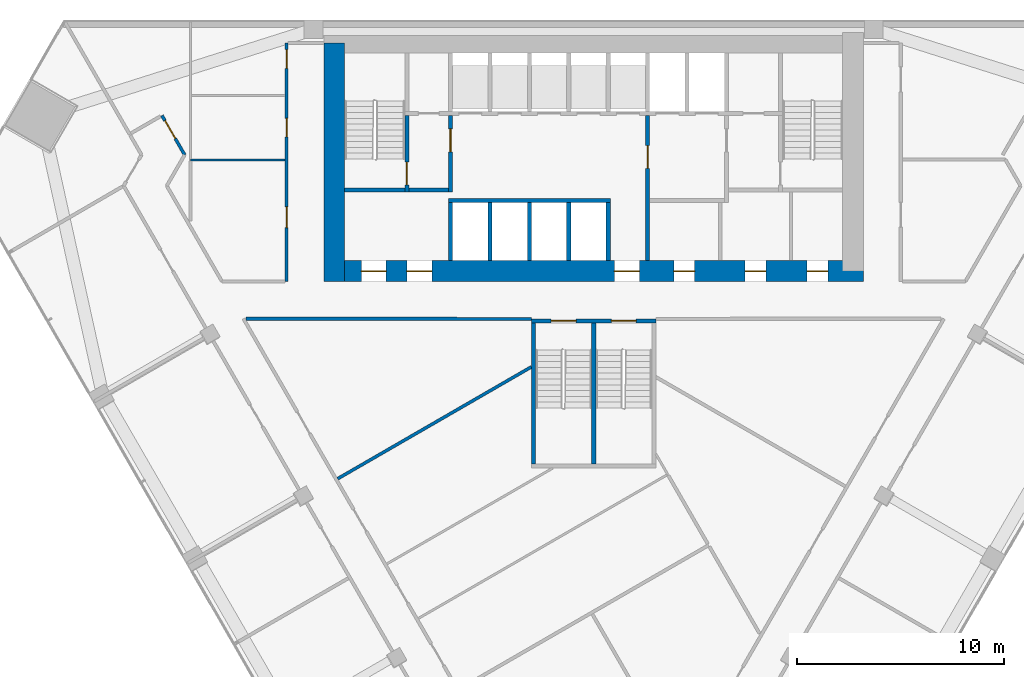
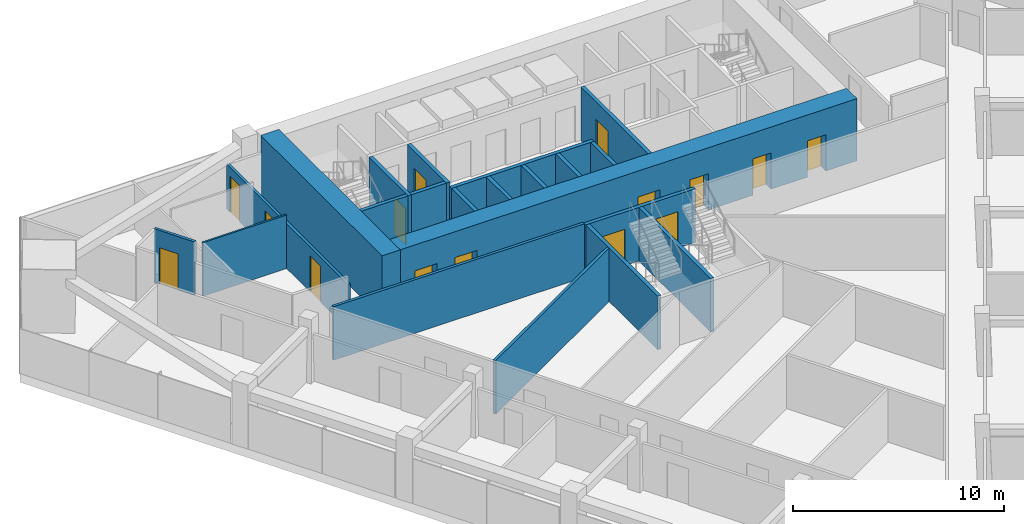
# One storey, part 10 of 14: 21 walls, 15 doors, 15 openings.
"""IFC4 building model written with IfcOpenShell, lengths in metres."""

import ifcopenshell
import ifcopenshell.guid

model = None  # the IFC model being written
_history = None  # IfcOwnerHistory: only IFC2X3 demands one
_inside = {}  # id of a spatial element -> (the spatial element, [elements in it])
_under = {}  # id of a project, library or spatial element -> (it, [spatial elements below it])
_declared = {}  # id of a project -> (the project, [libraries it declares])
_typed = {}  # id of a type object -> (the type object, [elements of that type])
_made_of = {}  # id of a material, layer set ... -> (it, [elements and type objects made of it])


def new_model(schema):
    """Start an empty IFC model of exactly this schema.

    Asked for "IFC4X3", IfcOpenShell would pick the latest addendum, in which some entities
    have other attributes; the version numbers below select the first issue.
    IFC2X3 requires an IfcOwnerHistory on every rooted entity: one is made here for all.
    """
    global model, _history
    if schema == "IFC4X3":
        model = ifcopenshell.file(schema_version=(4, 3, 0, 0))
    else:
        model = ifcopenshell.file(schema=schema)
    _inside.clear()
    _under.clear()
    _declared.clear()
    _typed.clear()
    _made_of.clear()
    _history = None
    if model.schema == "IFC2X3":
        org = make("IfcOrganization", Name="unknown")
        user = make(
            "IfcPersonAndOrganization",
            ThePerson=make("IfcPerson", FamilyName="unknown"),
            TheOrganization=org,
        )
        app = make(
            "IfcApplication",
            ApplicationDeveloper=org,
            Version="unknown",
            ApplicationFullName="unknown",
            ApplicationIdentifier="unknown",
        )
        _history = make(
            "IfcOwnerHistory",
            OwningUser=user,
            OwningApplication=app,
            ChangeAction="ADDED",
            CreationDate=0,
        )
    return model


def make(cls, **values):
    """One entity of the class cls with the attributes given. An attribute that is None is left unset."""
    return model.create_entity(
        cls, **{name: value for name, value in values.items() if value is not None}
    )


def rooted(cls, **values):
    """An entity with a GlobalId (a new one), such as an element, a storey or a relation."""
    return make(cls, GlobalId=ifcopenshell.guid.new(), OwnerHistory=_history, **values)


def si_unit(unit_type, name, prefix=None):
    """IfcSIUnit, for example si_unit("LENGTHUNIT", "METRE", prefix="MILLI")."""
    return make("IfcSIUnit", UnitType=unit_type, Prefix=prefix, Name=name)


def assignment(units):
    """IfcUnitAssignment: the units of a project."""
    return None if units is None else make("IfcUnitAssignment", Units=units)


def point(xyz):
    """IfcCartesianPoint."""
    return None if xyz is None else make("IfcCartesianPoint", Coordinates=xyz)


def direction(xyz):
    """IfcDirection."""
    return None if xyz is None else make("IfcDirection", DirectionRatios=xyz)


def frame(location, z_axis=None, x_axis=None):
    """IfcAxis2Placement3D, a coordinate frame: its origin and axes. An axis left out is left unset."""
    return make(
        "IfcAxis2Placement3D",
        Location=point(location),
        Axis=direction(z_axis),
        RefDirection=direction(x_axis),
    )


def frame_2d(location, x_axis=None):
    """IfcAxis2Placement2D, a coordinate frame in the plane: its origin and x axis."""
    return make(
        "IfcAxis2Placement2D", Location=point(location), RefDirection=direction(x_axis)
    )


def origin():
    """The frame at (0, 0, 0) with its axes left unset."""
    return frame((0.0, 0.0, 0.0))


def place(relative_to, where):
    """IfcLocalPlacement: puts the frame where relative to a parent placement (None: the world)."""
    return make(
        "IfcLocalPlacement", PlacementRelTo=relative_to, RelativePlacement=where
    )


def context(
    kind, dimensions, precision=None, world=None, true_north=None, identifier=None
):
    """IfcGeometricRepresentationContext, for example the 3D "Model" context."""
    return make(
        "IfcGeometricRepresentationContext",
        ContextIdentifier=identifier,
        ContextType=kind,
        CoordinateSpaceDimension=dimensions,
        Precision=precision,
        WorldCoordinateSystem=world,
        TrueNorth=true_north,
    )


def subcontext(parent, identifier, kind, view, scale=None):
    """IfcGeometricRepresentationSubContext, for example "Body" below "Model"."""
    return make(
        "IfcGeometricRepresentationSubContext",
        ContextIdentifier=identifier,
        ContextType=kind,
        ParentContext=parent,
        TargetScale=scale,
        TargetView=view,
    )


def project(units=None, contexts=None):
    """IfcProject with its units and contexts."""
    return rooted(
        "IfcProject",
        Name="project",
        RepresentationContexts=contexts,
        UnitsInContext=assignment(units),
    )


def spatial(cls, under=None, at=None, **own):
    """A site, building, storey or space (cls), placed at a placement, below another one or the project."""
    s = rooted(cls, ObjectPlacement=at, **own)
    if under is not None:
        _under.setdefault(under.id(), (under, []))[1].append(s)
    return s


def profile(cls, at=None, kind="AREA", **sizes):
    """A parametric profile (cls). Its sizes go by their IFC names, for example OverallWidth=200.0."""
    return make(cls, ProfileType=kind, Position=at, **sizes)


def rectangle(**sizes):
    """IfcRectangleProfileDef."""
    return profile("IfcRectangleProfileDef", **sizes)


def extrude(swept, where, along, depth):
    """IfcExtrudedAreaSolid: the profile swept, set in the frame where, extruded along a direction by depth."""
    return make(
        "IfcExtrudedAreaSolid",
        SweptArea=swept,
        Position=where,
        ExtrudedDirection=direction(along),
        Depth=depth,
    )


def shape(context_of_items, identifier, shape_type, items):
    """IfcShapeRepresentation: the items that make up one representation, for example the "Body"."""
    return make(
        "IfcShapeRepresentation",
        ContextOfItems=context_of_items,
        RepresentationIdentifier=identifier,
        RepresentationType=shape_type,
        Items=items,
    )


def material(Name=None, Category=None):
    """IfcMaterial."""
    return make("IfcMaterial", Name=Name, Category=Category)


def layer(
    of_material, thickness, ventilated=None, Name=None, Category=None, Priority=None
):
    """IfcMaterialLayer: one layer of a wall or slab, of a material (None: an air gap)."""
    return make(
        "IfcMaterialLayer",
        Material=of_material,
        LayerThickness=thickness,
        IsVentilated=ventilated,
        Name=Name,
        Category=Category,
        Priority=Priority,
    )


def layer_set(layers, Name=None):
    """IfcMaterialLayerSet."""
    return make("IfcMaterialLayerSet", MaterialLayers=layers, LayerSetName=Name)


def made_of(thing, what):
    """Note that an element or type object is made of a material, layer set ...; save() writes the relation."""
    if what is not None:
        _made_of.setdefault(what.id(), (what, []))[1].append(thing)
    return thing


def type_object(cls, material=None, **own):
    """A type object (cls), such as IfcWallType, which elements share."""
    return made_of(rooted(cls, **own), material)


def element(
    cls,
    number,
    at=None,
    inside=None,
    cuts=None,
    type_object=None,
    material=None,
    context=None,
    identifier="Body",
    shape_type=None,
    held_by="IfcProductDefinitionShape",
    body=None,
    shapes=None,
    **own,
):
    """One element of the class cls, such as IfcWall. Its Tag is "e" and its number.

    at: its placement. inside: the storey or other place that contains it. cuts: it is an
    opening in that element (IfcRelVoidsElement). A single representation is given by context,
    identifier, shape_type and body (its items); several are given by shapes. held_by: the class
    of the entity that holds the representations. save() writes the other relations.
    """
    e = rooted(cls, Tag="e%d" % number, ObjectPlacement=at, **own)
    if body is not None:
        shapes = [shape(context, identifier, shape_type, body)]
    if shapes is not None:
        e.Representation = make(held_by, Representations=shapes)
    if inside is not None:
        _inside.setdefault(inside.id(), (inside, []))[1].append(e)
    if cuts is not None:
        rooted(
            "IfcRelVoidsElement", RelatingBuildingElement=cuts, RelatedOpeningElement=e
        )
    if type_object is not None:
        _typed.setdefault(type_object.id(), (type_object, []))[1].append(e)
    return made_of(e, material)


def fill(opening, filler):
    """IfcRelFillsElement: the door or window that sits in an opening."""
    return rooted(
        "IfcRelFillsElement",
        RelatingOpeningElement=opening,
        RelatedBuildingElement=filler,
    )


def aggregate(whole, parts):
    """IfcRelAggregates: a whole, such as a stair, and the parts it consists of."""
    return rooted("IfcRelAggregates", RelatingObject=whole, RelatedObjects=parts)


def save(model, path):
    """Write the relations noted so far, then the file.

    IfcRelAggregates (storeys below a building ...), IfcRelContainedInSpatialStructure (elements
    in a storey), IfcRelDefinesByType, IfcRelAssociatesMaterial and IfcRelDeclares: one each for
    every whole, place, type object, material and project.
    """
    for whole, parts in _under.values():
        aggregate(whole, parts)
    for where, things in _inside.values():
        rooted(
            "IfcRelContainedInSpatialStructure",
            RelatedElements=things,
            RelatingStructure=where,
        )
    for kind, things in _typed.values():
        rooted("IfcRelDefinesByType", RelatedObjects=things, RelatingType=kind)
    for what, things in _made_of.values():
        rooted("IfcRelAssociatesMaterial", RelatedObjects=things, RelatingMaterial=what)
    for by, libraries in _declared.values():
        rooted("IfcRelDeclares", RelatingContext=by, RelatedDefinitions=libraries)
    model.write(path)


model = new_model("IFC4")

# Units and contexts
model_context = context("Model", 3, precision=1e-05, world=origin(), true_north=direction((0.0, 1.0)))
body_context = subcontext(model_context, "Body", "Model", "MODEL_VIEW")
ifc_project = project(units=[si_unit("LENGTHUNIT", "METRE"), si_unit("AREAUNIT", "SQUARE_METRE"), si_unit("VOLUMEUNIT", "CUBIC_METRE"), si_unit("PLANEANGLEUNIT", "RADIAN"), si_unit("MASSUNIT", "GRAM", prefix="KILO")], contexts=[model_context])

# Site, building, storey
site_placement = place(None, origin())
site = spatial("IfcSite", under=ifc_project, at=site_placement, CompositionType="ELEMENT")
building_placement = place(site_placement, origin())
building = spatial("IfcBuilding", under=site, at=building_placement, Name="Altiplano Prism Tower", CompositionType="ELEMENT")
storey_placement = place(building_placement, frame((0.0, 0.0, 63.0)))
storey = spatial("IfcBuildingStorey", under=building, at=storey_placement, Name="L15", CompositionType="ELEMENT", Elevation=63.0)

# Wall, openings, doors
ifc_material_1 = material(Name="Concrete C70/85", Category="concrete")
ifc_layer_1 = layer(ifc_material_1, 1.0)
ifc_layer_set_1 = layer_set([ifc_layer_1], Name="Concrete C70/85")
wall_type_1 = type_object("IfcWallType", Name="Core wall 1000", PredefinedType="SHEAR", material=ifc_layer_set_1)
wall_1_placement = place(storey_placement, frame((72.5, 92.89990234375, 0.0), z_axis=(0.0, 0.0, 1.0), x_axis=(1.0, 0.0, 0.0)))
wall_1 = element("IfcWall", 1, at=wall_1_placement, inside=storey, type_object=wall_type_1, Name="Core wall S L15", PredefinedType="SHEAR", context=body_context, shape_type="SweptSolid", body=[
    extrude(rectangle(XDim=25.5, YDim=1.0, at=frame_2d((12.75, 0.0))), origin(), (0.0, 0.0, 1.0), 3.60009765625),
])
opening_1_placement = place(wall_1_placement, frame((1.300048828125, 0.0, 0.0)))
opening_1 = element("IfcOpeningElement", 2, at=opening_1_placement, cuts=wall_1, Name="Opening D2793", PredefinedType="OPENING", context=body_context, shape_type="SweptSolid", body=[
    extrude(rectangle(XDim=1.199951171875, YDim=2.10009765625, at=frame_2d((0.60009765625, 1.050048828125))), frame((0.0, 0.510498046875, 0.0), z_axis=(0.0, -1.0, 0.0), x_axis=(1.0, 0.0, 0.0)), (0.0, 0.0, 1.0), 1.02099609375),
])
opening_2_placement = place(wall_1_placement, frame((3.5, 0.0, 0.0)))
opening_2 = element("IfcOpeningElement", 3, at=opening_2_placement, cuts=wall_1, Name="Opening D2794", PredefinedType="OPENING", context=body_context, shape_type="SweptSolid", body=[
    extrude(rectangle(XDim=1.199951171875, YDim=2.10009765625, at=frame_2d((0.60009765625, 1.050048828125))), frame((0.0, 0.510498046875, 0.0), z_axis=(0.0, -1.0, 0.0), x_axis=(1.0, 0.0, 0.0)), (0.0, 0.0, 1.0), 1.02099609375),
])
opening_3_placement = place(wall_1_placement, frame((13.5, 0.0, 0.0)))
opening_3 = element("IfcOpeningElement", 4, at=opening_3_placement, cuts=wall_1, Name="Opening D2795", PredefinedType="OPENING", context=body_context, shape_type="SweptSolid", body=[
    extrude(rectangle(XDim=1.199951171875, YDim=2.10009765625, at=frame_2d((0.60009765625, 1.050048828125))), frame((0.0, 0.510498046875, 0.0), z_axis=(0.0, -1.0, 0.0), x_axis=(1.0, 0.0, 0.0)), (0.0, 0.0, 1.0), 1.02099609375),
])
opening_4_placement = place(wall_1_placement, frame((16.362548828125, 0.0, 0.0)))
opening_4 = element("IfcOpeningElement", 5, at=opening_4_placement, cuts=wall_1, Name="Opening D2798", PredefinedType="OPENING", context=body_context, shape_type="SweptSolid", body=[
    extrude(rectangle(XDim=1.0, YDim=2.10009765625, at=frame_2d((0.5, 1.050048828125))), frame((0.0, 0.510498046875, 0.0), z_axis=(0.0, -1.0, 0.0), x_axis=(1.0, 0.0, 0.0)), (0.0, 0.0, 1.0), 1.02099609375),
])
opening_5_placement = place(wall_1_placement, frame((19.800048828125, 0.0, 0.0)))
opening_5 = element("IfcOpeningElement", 6, at=opening_5_placement, cuts=wall_1, Name="Opening D2799", PredefinedType="OPENING", context=body_context, shape_type="SweptSolid", body=[
    extrude(rectangle(XDim=1.0, YDim=2.10009765625, at=frame_2d((0.5, 1.050048828125))), frame((0.0, 0.510498046875, 0.0), z_axis=(0.0, -1.0, 0.0), x_axis=(1.0, 0.0, 0.0)), (0.0, 0.0, 1.0), 1.02099609375),
])
opening_6_placement = place(wall_1_placement, frame((22.78759765625, 0.0, 0.0)))
opening_6 = element("IfcOpeningElement", 7, at=opening_6_placement, cuts=wall_1, Name="Opening D2800", PredefinedType="OPENING", context=body_context, shape_type="SweptSolid", body=[
    extrude(rectangle(XDim=1.0, YDim=2.10009765625, at=frame_2d((0.5, 1.050048828125))), frame((0.0, 0.510498046875, 0.0), z_axis=(0.0, -1.0, 0.0), x_axis=(1.0, 0.0, 0.0)), (0.0, 0.0, 1.0), 1.02099609375),
])
ifc_material_2 = material(Name="Fire-rated steel door", Category="steel")
door_type_1 = type_object("IfcDoorType", Name="Core room door 1000 x 2100", OperationType="NOTDEFINED", PredefinedType="NOTDEFINED", material=ifc_material_2)
door_1_placement = place(opening_4_placement, origin())
door_1 = element("IfcDoor", 8, at=door_1_placement, inside=storey, type_object=door_type_1, Name="Core room door D2798", OperationType="SINGLE_SWING_RIGHT", OverallHeight=2.10009765625, OverallWidth=1.0, PredefinedType="NOTDEFINED", context=body_context, shape_type="SweptSolid", body=[
    extrude(rectangle(XDim=1.0, YDim=2.10009765625, at=frame_2d((0.5, 1.050048828125))), frame((0.0, 0.02490234375, 0.0), z_axis=(0.0, -1.0, 0.0), x_axis=(1.0, 0.0, 0.0)), (0.0, 0.0, 1.0), 0.050048828125),
])
fill(opening_4, door_1)
door_2_placement = place(opening_5_placement, origin())
door_2 = element("IfcDoor", 9, at=door_2_placement, inside=storey, type_object=door_type_1, Name="Core room door D2799", OperationType="SINGLE_SWING_LEFT", OverallHeight=2.10009765625, OverallWidth=1.0, PredefinedType="NOTDEFINED", context=body_context, shape_type="SweptSolid", body=[
    extrude(rectangle(XDim=1.0, YDim=2.10009765625, at=frame_2d((0.5, 1.050048828125))), frame((0.0, 0.02490234375, 0.0), z_axis=(0.0, -1.0, 0.0), x_axis=(1.0, 0.0, 0.0)), (0.0, 0.0, 1.0), 0.050048828125),
])
fill(opening_5, door_2)
door_3_placement = place(opening_6_placement, origin())
door_3 = element("IfcDoor", 10, at=door_3_placement, inside=storey, type_object=door_type_1, Name="Core room door D2800", OperationType="SINGLE_SWING_RIGHT", OverallHeight=2.10009765625, OverallWidth=1.0, PredefinedType="NOTDEFINED", context=body_context, shape_type="SweptSolid", body=[
    extrude(rectangle(XDim=1.0, YDim=2.10009765625, at=frame_2d((0.5, 1.050048828125))), frame((0.0, 0.02490234375, 0.0), z_axis=(0.0, -1.0, 0.0), x_axis=(1.0, 0.0, 0.0)), (0.0, 0.0, 1.0), 0.050048828125),
])
fill(opening_6, door_3)
door_type_2 = type_object("IfcDoorType", Name="Lobby fire door 1200 x 2100", OperationType="NOTDEFINED", PredefinedType="NOTDEFINED", material=ifc_material_2)
door_4_placement = place(opening_1_placement, origin())
door_4 = element("IfcDoor", 11, at=door_4_placement, inside=storey, type_object=door_type_2, Name="Lobby fire door D2793", OperationType="SINGLE_SWING_RIGHT", OverallHeight=2.10009765625, OverallWidth=1.199951171875, PredefinedType="NOTDEFINED", context=body_context, shape_type="SweptSolid", body=[
    extrude(rectangle(XDim=1.199951171875, YDim=2.10009765625, at=frame_2d((0.60009765625, 1.050048828125))), frame((0.0, 0.02490234375, 0.0), z_axis=(0.0, -1.0, 0.0), x_axis=(1.0, 0.0, 0.0)), (0.0, 0.0, 1.0), 0.050048828125),
])
fill(opening_1, door_4)
door_5_placement = place(opening_2_placement, origin())
door_5 = element("IfcDoor", 12, at=door_5_placement, inside=storey, type_object=door_type_2, Name="Lobby fire door D2794", OperationType="SINGLE_SWING_LEFT", OverallHeight=2.10009765625, OverallWidth=1.199951171875, PredefinedType="NOTDEFINED", context=body_context, shape_type="SweptSolid", body=[
    extrude(rectangle(XDim=1.199951171875, YDim=2.10009765625, at=frame_2d((0.60009765625, 1.050048828125))), frame((0.0, 0.02490234375, 0.0), z_axis=(0.0, -1.0, 0.0), x_axis=(1.0, 0.0, 0.0)), (0.0, 0.0, 1.0), 0.050048828125),
])
fill(opening_2, door_5)
door_6_placement = place(opening_3_placement, origin())
door_6 = element("IfcDoor", 13, at=door_6_placement, inside=storey, type_object=door_type_2, Name="Lobby fire door D2795", OperationType="SINGLE_SWING_RIGHT", OverallHeight=2.10009765625, OverallWidth=1.199951171875, PredefinedType="NOTDEFINED", context=body_context, shape_type="SweptSolid", body=[
    extrude(rectangle(XDim=1.199951171875, YDim=2.10009765625, at=frame_2d((0.60009765625, 1.050048828125))), frame((0.0, 0.02490234375, 0.0), z_axis=(0.0, -1.0, 0.0), x_axis=(1.0, 0.0, 0.0)), (0.0, 0.0, 1.0), 0.050048828125),
])
fill(opening_3, door_6)

# Walls
wall_2_placement = place(storey_placement, frame((72.5, 103.89990234375, 0.0), z_axis=(0.0, 0.0, 1.0), x_axis=(0.0, -1.0, 0.0)))
element("IfcWall", 14, at=wall_2_placement, inside=storey, type_object=wall_type_1, Name="Core wall W L15", PredefinedType="SHEAR", context=body_context, shape_type="SweptSolid", body=[
    extrude(rectangle(XDim=11.5, YDim=1.0, at=frame_2d((5.75, 0.0))), origin(), (0.0, 0.0, 1.0), 3.60009765625),
])
ifc_material_3 = material(Name="Plasterboard on steel stud", Category="steel")
ifc_layer_2 = layer(ifc_material_3, 0.10009765625)
ifc_layer_set_2 = layer_set([ifc_layer_2], Name="Plasterboard on steel stud")
wall_type_2 = type_object("IfcWallType", Name="Partition 100 wet", PredefinedType="PARTITIONING", material=ifc_layer_set_2)
wall_3_placement = place(storey_placement, frame((65.561279296875, 98.25341796875, 0.0), z_axis=(0.0, 0.0, 1.0), x_axis=(1.0, 0.0, 0.0)))
element("IfcWall", 15, at=wall_3_placement, inside=storey, type_object=wall_type_2, Name="Partition P03 L15 027", PredefinedType="PARTITIONING", context=body_context, shape_type="SweptSolid", body=[
    extrude(rectangle(XDim=4.563720703125, YDim=0.10009765625, at=frame_2d((2.28173828125, 0.0))), origin(), (0.0, 0.0, 1.0), 3.10009765625),
])

# Wall, openings, doors
ifc_layer_3 = layer(ifc_material_3, 0.14990234375)
ifc_layer_set_3 = layer_set([ifc_layer_3], Name="Plasterboard on steel stud")
wall_type_3 = type_object("IfcWallType", Name="Partition 150 corridor", PredefinedType="PARTITIONING", material=ifc_layer_set_3)
wall_4_placement = place(storey_placement, frame((70.199951171875, 103.89990234375, 0.0), z_axis=(0.0, 0.0, 1.0), x_axis=(0.0, -1.0, 0.0)))
wall_4 = element("IfcWall", 16, at=wall_4_placement, inside=storey, type_object=wall_type_3, Name="Partition P06 L15 002", PredefinedType="PARTITIONING", context=body_context, shape_type="SweptSolid", body=[
    extrude(rectangle(XDim=11.5, YDim=0.14990234375, at=frame_2d((5.75, 0.0))), origin(), (0.0, 0.0, 1.0), 2.60009765625),
])
opening_7_placement = place(wall_4_placement, frame((3.637939453125, 0.0, 0.0)))
opening_7 = element("IfcOpeningElement", 17, at=opening_7_placement, cuts=wall_4, Name="Opening D0596", PredefinedType="OPENING", context=body_context, shape_type="SweptSolid", body=[
    extrude(rectangle(XDim=0.89990234375, YDim=2.10009765625, at=frame_2d((0.449951171875, 1.050048828125))), frame((0.0, 0.08544921875, 0.0), z_axis=(0.0, -1.0, 0.0), x_axis=(1.0, 0.0, 0.0)), (0.0, 0.0, 1.0), 0.1708984375),
])
opening_8_placement = place(wall_4_placement, frame((0.3310546875, 0.0, 0.0)))
opening_8 = element("IfcOpeningElement", 18, at=opening_8_placement, cuts=wall_4, Name="Opening D0597", PredefinedType="OPENING", context=body_context, shape_type="SweptSolid", body=[
    extrude(rectangle(XDim=0.89990234375, YDim=2.10009765625, at=frame_2d((0.449951171875, 1.050048828125))), frame((0.0, 0.08544921875, 0.0), z_axis=(0.0, -1.0, 0.0), x_axis=(1.0, 0.0, 0.0)), (0.0, 0.0, 1.0), 0.1708984375),
])
opening_9_placement = place(wall_4_placement, frame((7.909912109375, 0.0, 0.0)))
opening_9 = element("IfcOpeningElement", 19, at=opening_9_placement, cuts=wall_4, Name="Opening D0598", PredefinedType="OPENING", context=body_context, shape_type="SweptSolid", body=[
    extrude(rectangle(XDim=1.0, YDim=2.10009765625, at=frame_2d((0.5, 1.050048828125))), frame((0.0, 0.08544921875, 0.0), z_axis=(0.0, -1.0, 0.0), x_axis=(1.0, 0.0, 0.0)), (0.0, 0.0, 1.0), 0.1708984375),
])
ifc_material_4 = material(Name="Timber", Category="wood")
door_type_3 = type_object("IfcDoorType", Name="Store door 1000 x 2100", OperationType="NOTDEFINED", PredefinedType="NOTDEFINED", material=ifc_material_4)
door_7_placement = place(opening_9_placement, origin())
door_7 = element("IfcDoor", 20, at=door_7_placement, inside=storey, type_object=door_type_3, Name="Door D0598", OperationType="SINGLE_SWING_LEFT", OverallHeight=2.10009765625, OverallWidth=1.0, PredefinedType="NOTDEFINED", context=body_context, shape_type="SweptSolid", body=[
    extrude(rectangle(XDim=1.0, YDim=2.10009765625, at=frame_2d((0.5, 1.050048828125))), frame((0.0, 0.02490234375, 0.0), z_axis=(0.0, -1.0, 0.0), x_axis=(1.0, 0.0, 0.0)), (0.0, 0.0, 1.0), 0.050048828125),
])
fill(opening_9, door_7)
door_type_4 = type_object("IfcDoorType", Name="Toilet door 900 x 2100", OperationType="NOTDEFINED", PredefinedType="NOTDEFINED", material=ifc_material_4)
door_8_placement = place(opening_7_placement, origin())
door_8 = element("IfcDoor", 21, at=door_8_placement, inside=storey, type_object=door_type_4, Name="Door D0596", OperationType="SINGLE_SWING_LEFT", OverallHeight=2.10009765625, OverallWidth=0.89990234375, PredefinedType="NOTDEFINED", context=body_context, shape_type="SweptSolid", body=[
    extrude(rectangle(XDim=0.89990234375, YDim=2.10009765625, at=frame_2d((0.449951171875, 1.050048828125))), frame((0.0, 0.02490234375, 0.0), z_axis=(0.0, -1.0, 0.0), x_axis=(1.0, 0.0, 0.0)), (0.0, 0.0, 1.0), 0.050048828125),
])
fill(opening_7, door_8)
door_9_placement = place(opening_8_placement, origin())
door_9 = element("IfcDoor", 22, at=door_9_placement, inside=storey, type_object=door_type_4, Name="Door D0597", OperationType="SINGLE_SWING_LEFT", OverallHeight=2.10009765625, OverallWidth=0.89990234375, PredefinedType="NOTDEFINED", context=body_context, shape_type="SweptSolid", body=[
    extrude(rectangle(XDim=0.89990234375, YDim=2.10009765625, at=frame_2d((0.449951171875, 1.050048828125))), frame((0.0, 0.02490234375, 0.0), z_axis=(0.0, -1.0, 0.0), x_axis=(1.0, 0.0, 0.0)), (0.0, 0.0, 1.0), 0.050048828125),
])
fill(opening_8, door_9)

# Wall, opening, door
wall_5_placement = place(storey_placement, frame((65.288330078125, 98.5, 0.0), z_axis=(0.0, 0.0, 1.0), x_axis=(-0.500005024956, 0.866022502605, 0.0)))
wall_5 = element("IfcWall", 23, at=wall_5_placement, inside=storey, type_object=wall_type_3, Name="Partition P06 L15 006", PredefinedType="PARTITIONING", context=body_context, shape_type="SweptSolid", body=[
    extrude(rectangle(XDim=2.19384765625, YDim=0.14990234375, at=frame_2d((1.096923828125, 0.0))), origin(), (0.0, 0.0, 1.0), 3.10009765625),
])
opening_10_placement = place(wall_5_placement, frame((0.89990234375, 0.0, 0.0)))
opening_10 = element("IfcOpeningElement", 24, at=opening_10_placement, cuts=wall_5, Name="Opening D0599", PredefinedType="OPENING", context=body_context, shape_type="SweptSolid", body=[
    extrude(rectangle(XDim=1.0, YDim=2.10009765625, at=frame_2d((0.5, 1.050048828125))), frame((0.0, 0.08544921875, 0.0), z_axis=(0.0, -1.0, 0.0), x_axis=(1.0, 0.0, 0.0)), (0.0, 0.0, 1.0), 0.1708984375),
])
door_10_placement = place(opening_10_placement, origin())
door_10 = element("IfcDoor", 25, at=door_10_placement, inside=storey, type_object=door_type_3, Name="Door D0599", OperationType="SINGLE_SWING_LEFT", OverallHeight=2.10009765625, OverallWidth=1.0, PredefinedType="NOTDEFINED", context=body_context, shape_type="SweptSolid", body=[
    extrude(rectangle(XDim=1.0, YDim=2.10009765625, at=frame_2d((0.5, 1.050048828125))), frame((0.0, 0.02490234375, 0.0), z_axis=(0.0, -1.0, 0.0), x_axis=(1.0, 0.0, 0.0)), (0.0, 0.0, 1.0), 0.050048828125),
])
fill(opening_10, door_10)

# Walls
wall_6_placement = place(storey_placement, frame((68.25439453125, 90.60009765625, 0.0), z_axis=(0.0, 0.0, 1.0), x_axis=(0.999999997476, -7.1045433e-05, 0.0)))
element("IfcWall", 26, at=wall_6_placement, inside=storey, type_object=wall_type_3, Name="Partition P06 L15 017", PredefinedType="PARTITIONING", context=body_context, shape_type="SweptSolid", body=[
    extrude(rectangle(XDim=13.74560546875, YDim=0.14990234375, at=frame_2d((6.872802734375, 0.0))), origin(), (0.0, 0.0, 1.0), 3.10009765625),
])
ifc_layer_4 = layer(ifc_material_3, 0.14990234375)
ifc_layer_set_4 = layer_set([ifc_layer_4], Name="Plasterboard on steel stud")
wall_type_4 = type_object("IfcWallType", Name="Partition 150 party", PredefinedType="PARTITIONING", material=ifc_layer_set_4)
wall_7_placement = place(storey_placement, frame((72.66162109375, 82.8916015625, 0.0), z_axis=(0.0, 0.0, 1.0), x_axis=(0.866021950802, 0.500005980693, 0.0)))
element("IfcWall", 27, at=wall_7_placement, inside=storey, type_object=wall_type_4, Name="Partition P01 L15 044", PredefinedType="PARTITIONING", context=body_context, shape_type="SweptSolid", body=[
    extrude(rectangle(XDim=10.782958984375, YDim=0.14990234375, at=frame_2d((5.3916015625, 0.0))), origin(), (0.0, 0.0, 1.0), 3.10009765625),
])
ifc_material_5 = material(Name="Concrete C60/75", Category="concrete")
ifc_layer_5 = layer(ifc_material_5, 0.199951171875)
ifc_layer_set_5 = layer_set([ifc_layer_5], Name="Concrete C60/75")
wall_type_5 = type_object("IfcWallType", Name="Shaft wall 200", PredefinedType="SOLIDWALL", material=ifc_layer_set_5)
for number, where, z_axis, x_axis, name in (
    (28, (78.10009765625, 93.39990234375, 0.0), (0.0, 0.0, 1.0), (0.0, 1.0, 0.0), "Shaft wall L15"),
    (29, (80.0, 93.39990234375, 0.0), (0.0, 0.0, 1.0), (0.0, 1.0, 0.0), "Shaft wall L15"),
    (30, (81.89990234375, 93.39990234375, 0.0), (0.0, 0.0, 1.0), (0.0, 1.0, 0.0), "Shaft wall L15"),
    (31, (83.800048828125, 93.39990234375, 0.0), (0.0, 0.0, 1.0), (0.0, 1.0, 0.0), "Shaft wall L15"),
    (32, (85.699951171875, 93.39990234375, 0.0), (0.0, 0.0, 1.0), (0.0, 1.0, 0.0), "Shaft wall L15"),
):
    element("IfcWall", number, at=place(storey_placement, frame(where, z_axis=z_axis, x_axis=x_axis)), inside=storey, type_object=wall_type_5, Name=name, PredefinedType="SOLIDWALL", context=body_context, shape_type="SweptSolid", body=[
        extrude(rectangle(XDim=2.800048828125, YDim=0.199951171875, at=frame_2d((1.39990234375, 0.0))), origin(), (0.0, 0.0, 1.0), 3.10009765625),
    ])
wall_8_placement = place(storey_placement, frame((78.0, 96.300048828125, 0.0), z_axis=(0.0, 0.0, 1.0), x_axis=(1.0, 0.0, 0.0)))
element("IfcWall", 33, at=wall_8_placement, inside=storey, type_object=wall_type_5, Name="Shaft wall L15", PredefinedType="SOLIDWALL", context=body_context, shape_type="SweptSolid", body=[
    extrude(rectangle(XDim=7.800048828125, YDim=0.199951171875, at=frame_2d((3.89990234375, 0.0))), origin(), (0.0, 0.0, 1.0), 3.10009765625),
])
ifc_layer_6 = layer(ifc_material_5, 0.199951171875)
ifc_layer_set_6 = layer_set([ifc_layer_6], Name="Concrete C60/75")
wall_type_6 = type_object("IfcWallType", Name="Stair wall 200", PredefinedType="SOLIDWALL", material=ifc_layer_set_6)
wall_9_placement = place(storey_placement, frame((73.0, 96.800048828125, 0.0), z_axis=(0.0, 0.0, 1.0), x_axis=(1.0, 0.0, 0.0)))
element("IfcWall", 34, at=wall_9_placement, inside=storey, type_object=wall_type_6, Name="Stair wall L15", PredefinedType="SOLIDWALL", context=body_context, shape_type="SweptSolid", body=[
    extrude(rectangle(XDim=2.89990234375, YDim=0.199951171875, at=frame_2d((1.449951171875, 0.0))), origin(), (0.0, 0.0, 1.0), 3.10009765625),
])

# Wall, opening, door
wall_10_placement = place(storey_placement, frame((76.0, 96.699951171875, 0.0), z_axis=(0.0, 0.0, 1.0), x_axis=(0.0, 1.0, 0.0)))
wall_10 = element("IfcWall", 35, at=wall_10_placement, inside=storey, type_object=wall_type_6, Name="Stair wall L15", PredefinedType="SOLIDWALL", context=body_context, shape_type="SweptSolid", body=[
    extrude(rectangle(XDim=3.699951171875, YDim=0.199951171875, at=frame_2d((1.85009765625, 0.0))), origin(), (0.0, 0.0, 1.0), 3.10009765625),
])
opening_11_placement = place(wall_10_placement, frame((0.35009765625, 0.0, 0.0)))
opening_11 = element("IfcOpeningElement", 36, at=opening_11_placement, cuts=wall_10, Name="Opening D2788", PredefinedType="OPENING", context=body_context, shape_type="SweptSolid", body=[
    extrude(rectangle(XDim=1.10009765625, YDim=2.10009765625, at=frame_2d((0.550048828125, 1.050048828125))), frame((0.0, 0.1103515625, 0.0), z_axis=(0.0, -1.0, 0.0), x_axis=(1.0, 0.0, 0.0)), (0.0, 0.0, 1.0), 0.220947265625),
])
door_type_5 = type_object("IfcDoorType", Name="Stair fire door 1100 x 2100", OperationType="NOTDEFINED", PredefinedType="NOTDEFINED", material=ifc_material_2)
door_11_placement = place(opening_11_placement, origin())
door_11 = element("IfcDoor", 37, at=door_11_placement, inside=storey, type_object=door_type_5, Name="Stair fire door D2788", OperationType="SINGLE_SWING_RIGHT", OverallHeight=2.10009765625, OverallWidth=1.10009765625, PredefinedType="NOTDEFINED", context=body_context, shape_type="SweptSolid", body=[
    extrude(rectangle(XDim=1.10009765625, YDim=2.10009765625, at=frame_2d((0.550048828125, 1.050048828125))), frame((0.0, 0.02490234375, 0.0), z_axis=(0.0, -1.0, 0.0), x_axis=(1.0, 0.0, 0.0)), (0.0, 0.0, 1.0), 0.050048828125),
])
fill(opening_11, door_11)

# Wall, openings, doors
wall_11_placement = place(storey_placement, frame((82.0, 90.5, 0.0), z_axis=(0.0, 0.0, 1.0), x_axis=(1.0, 0.0, 0.0)))
wall_11 = element("IfcWall", 38, at=wall_11_placement, inside=storey, type_object=wall_type_6, Name="Stair 3 wall north L15", PredefinedType="SOLIDWALL", context=body_context, shape_type="SweptSolid", body=[
    extrude(rectangle(XDim=6.0, YDim=0.199951171875, at=frame_2d((3.0, 0.0))), origin(), (0.0, 0.0, 1.0), 3.10009765625),
])
opening_12_placement = place(wall_11_placement, frame((0.949951171875, 0.0, 0.0)))
opening_12 = element("IfcOpeningElement", 39, at=opening_12_placement, cuts=wall_11, Name="Opening D3952", PredefinedType="OPENING", context=body_context, shape_type="SweptSolid", body=[
    extrude(rectangle(XDim=1.199951171875, YDim=2.10009765625, at=frame_2d((0.60009765625, 1.050048828125))), frame((0.0, 0.1103515625, 0.0), z_axis=(0.0, -1.0, 0.0), x_axis=(1.0, 0.0, 0.0)), (0.0, 0.0, 1.0), 0.220947265625),
])
opening_13_placement = place(wall_11_placement, frame((3.85009765625, 0.0, 0.0)))
opening_13 = element("IfcOpeningElement", 40, at=opening_13_placement, cuts=wall_11, Name="Opening D3953", PredefinedType="OPENING", context=body_context, shape_type="SweptSolid", body=[
    extrude(rectangle(XDim=1.199951171875, YDim=2.10009765625, at=frame_2d((0.60009765625, 1.050048828125))), frame((0.0, 0.1103515625, 0.0), z_axis=(0.0, -1.0, 0.0), x_axis=(1.0, 0.0, 0.0)), (0.0, 0.0, 1.0), 0.220947265625),
])
door_type_6 = type_object("IfcDoorType", Name="Stair fire door 1200 x 2100", OperationType="NOTDEFINED", PredefinedType="NOTDEFINED", material=ifc_material_2)
door_12_placement = place(opening_12_placement, origin())
door_12 = element("IfcDoor", 41, at=door_12_placement, inside=storey, type_object=door_type_6, Name="Stair fire door D3952", OperationType="SINGLE_SWING_LEFT", OverallHeight=2.10009765625, OverallWidth=1.199951171875, PredefinedType="NOTDEFINED", context=body_context, shape_type="SweptSolid", body=[
    extrude(rectangle(XDim=1.199951171875, YDim=2.10009765625, at=frame_2d((0.60009765625, 1.050048828125))), frame((0.0, 0.02490234375, 0.0), z_axis=(0.0, -1.0, 0.0), x_axis=(1.0, 0.0, 0.0)), (0.0, 0.0, 1.0), 0.050048828125),
])
fill(opening_12, door_12)
door_13_placement = place(opening_13_placement, origin())
door_13 = element("IfcDoor", 42, at=door_13_placement, inside=storey, type_object=door_type_6, Name="Stair fire door D3953", OperationType="SINGLE_SWING_LEFT", OverallHeight=2.10009765625, OverallWidth=1.199951171875, PredefinedType="NOTDEFINED", context=body_context, shape_type="SweptSolid", body=[
    extrude(rectangle(XDim=1.199951171875, YDim=2.10009765625, at=frame_2d((0.60009765625, 1.050048828125))), frame((0.0, 0.02490234375, 0.0), z_axis=(0.0, -1.0, 0.0), x_axis=(1.0, 0.0, 0.0)), (0.0, 0.0, 1.0), 0.050048828125),
])
fill(opening_13, door_13)

# Walls
for number, where, z_axis, x_axis, name in (
    (43, (82.10009765625, 83.60009765625, 0.0), (0.0, 0.0, 1.0), (0.0, 1.0, 0.0), "Stair 3 wall west L15"),
    (44, (85.0, 83.60009765625, 0.0), (0.0, 0.0, 1.0), (0.0, 1.0, 0.0), "Stair 3 wall divider L15"),
):
    element("IfcWall", number, at=place(storey_placement, frame(where, z_axis=z_axis, x_axis=x_axis)), inside=storey, type_object=wall_type_6, Name=name, PredefinedType="SOLIDWALL", context=body_context, shape_type="SweptSolid", body=[
        extrude(rectangle(XDim=6.7998046875, YDim=0.199951171875, at=frame_2d((3.39990234375, 0.0))), origin(), (0.0, 0.0, 1.0), 3.10009765625),
    ])

# Wall, opening, door
ifc_layer_7 = layer(ifc_material_5, 0.199951171875)
ifc_layer_set_7 = layer_set([ifc_layer_7], Name="Concrete C60/75")
wall_type_7 = type_object("IfcWallType", Name="Vestibule wall 200", PredefinedType="PARTITIONING", material=ifc_layer_set_7)
wall_12_placement = place(storey_placement, frame((87.60009765625, 93.39990234375, 0.0), z_axis=(0.0, 0.0, 1.0), x_axis=(0.0, 1.0, 0.0)))
wall_12 = element("IfcWall", 45, at=wall_12_placement, inside=storey, type_object=wall_type_7, Name="Vestibule wall L15", PredefinedType="PARTITIONING", context=body_context, shape_type="SweptSolid", body=[
    extrude(rectangle(XDim=7.0, YDim=0.199951171875, at=frame_2d((3.5, 0.0))), origin(), (0.0, 0.0, 1.0), 3.10009765625),
])
opening_14_placement = place(wall_12_placement, frame((4.449951171875, 0.0, 0.0)))
opening_14 = element("IfcOpeningElement", 46, at=opening_14_placement, cuts=wall_12, Name="Opening D2791", PredefinedType="OPENING", context=body_context, shape_type="SweptSolid", body=[
    extrude(rectangle(XDim=1.10009765625, YDim=2.10009765625, at=frame_2d((0.550048828125, 1.050048828125))), frame((0.0, 0.1103515625, 0.0), z_axis=(0.0, -1.0, 0.0), x_axis=(1.0, 0.0, 0.0)), (0.0, 0.0, 1.0), 0.220947265625),
])
door_type_7 = type_object("IfcDoorType", Name="Vestibule fire door 1100 x 2100", OperationType="NOTDEFINED", PredefinedType="NOTDEFINED", material=ifc_material_2)
door_14_placement = place(opening_14_placement, origin())
door_14 = element("IfcDoor", 47, at=door_14_placement, inside=storey, type_object=door_type_7, Name="Vestibule fire door D2791", OperationType="SINGLE_SWING_RIGHT", OverallHeight=2.10009765625, OverallWidth=1.10009765625, PredefinedType="NOTDEFINED", context=body_context, shape_type="SweptSolid", body=[
    extrude(rectangle(XDim=1.10009765625, YDim=2.10009765625, at=frame_2d((0.550048828125, 1.050048828125))), frame((0.0, 0.02490234375, 0.0), z_axis=(0.0, -1.0, 0.0), x_axis=(1.0, 0.0, 0.0)), (0.0, 0.0, 1.0), 0.050048828125),
])
fill(opening_14, door_14)

# Wall
wall_13_placement = place(storey_placement, frame((76.10009765625, 96.800048828125, 0.0), z_axis=(0.0, 0.0, 1.0), x_axis=(1.0, 0.0, 0.0)))
element("IfcWall", 48, at=wall_13_placement, inside=storey, type_object=wall_type_7, Name="Vestibule wall L15", PredefinedType="PARTITIONING", context=body_context, shape_type="SweptSolid", body=[
    extrude(rectangle(XDim=1.89990234375, YDim=0.199951171875, at=frame_2d((0.949951171875, 0.0))), origin(), (0.0, 0.0, 1.0), 3.10009765625),
])

# Wall, opening, door
wall_14_placement = place(storey_placement, frame((78.10009765625, 96.699951171875, 0.0), z_axis=(0.0, 0.0, 1.0), x_axis=(0.0, 1.0, 0.0)))
wall_14 = element("IfcWall", 49, at=wall_14_placement, inside=storey, type_object=wall_type_7, Name="Vestibule wall L15", PredefinedType="PARTITIONING", context=body_context, shape_type="SweptSolid", body=[
    extrude(rectangle(XDim=3.699951171875, YDim=0.199951171875, at=frame_2d((1.85009765625, 0.0))), origin(), (0.0, 0.0, 1.0), 3.10009765625),
])
opening_15_placement = place(wall_14_placement, frame((1.949951171875, 0.0, 0.0)))
opening_15 = element("IfcOpeningElement", 50, at=opening_15_placement, cuts=wall_14, Name="Opening D2790", PredefinedType="OPENING", context=body_context, shape_type="SweptSolid", body=[
    extrude(rectangle(XDim=1.10009765625, YDim=2.10009765625, at=frame_2d((0.550048828125, 1.050048828125))), frame((0.0, 0.1103515625, 0.0), z_axis=(0.0, -1.0, 0.0), x_axis=(1.0, 0.0, 0.0)), (0.0, 0.0, 1.0), 0.220947265625),
])
door_15_placement = place(opening_15_placement, origin())
door_15 = element("IfcDoor", 51, at=door_15_placement, inside=storey, type_object=door_type_7, Name="Vestibule fire door D2790", OperationType="SINGLE_SWING_LEFT", OverallHeight=2.10009765625, OverallWidth=1.10009765625, PredefinedType="NOTDEFINED", context=body_context, shape_type="SweptSolid", body=[
    extrude(rectangle(XDim=1.10009765625, YDim=2.10009765625, at=frame_2d((0.550048828125, 1.050048828125))), frame((0.0, 0.02490234375, 0.0), z_axis=(0.0, -1.0, 0.0), x_axis=(1.0, 0.0, 0.0)), (0.0, 0.0, 1.0), 0.050048828125),
])
fill(opening_15, door_15)

save(model, "model.ifc")
